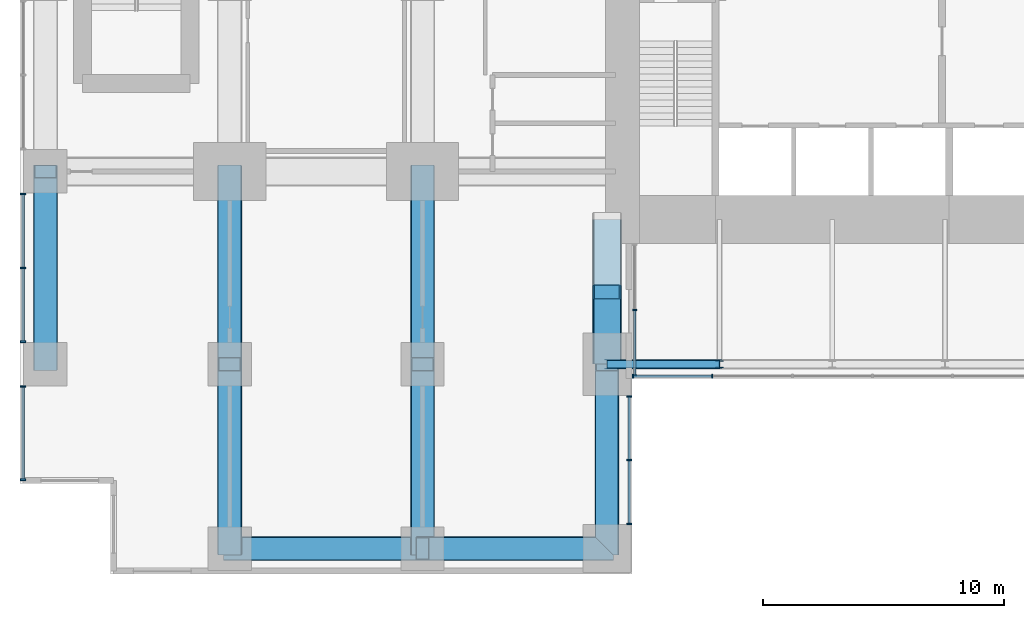
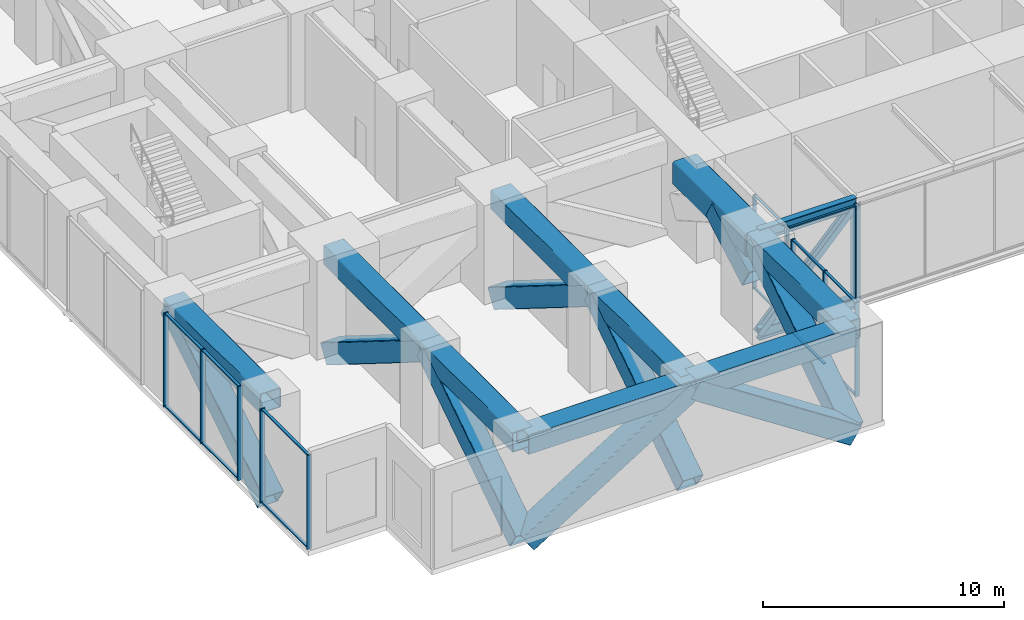
# One storey, part 2 of 19: 46 members, 2 beams, 5 elements without a shape of their own.
"""IFC4 building model written with IfcOpenShell, lengths in metres."""

from ifc_helpers import new_model, si_unit, direction, frame, origin, origin_2d, place, context, subcontext, project, spatial, rectangle, hollow_rectangle, i_section, extrude, material, layer, layer_set, material_profile, profile_set, type_object, element, aggregate, save


model = new_model("IFC4")

# Units and contexts
model_context = context("Model", 3, precision=1e-05, world=origin(), true_north=direction((0.0, 1.0)))
body_context = subcontext(model_context, "Body", "Model", "MODEL_VIEW")
ifc_project = project(units=[si_unit("LENGTHUNIT", "METRE"), si_unit("AREAUNIT", "SQUARE_METRE"), si_unit("VOLUMEUNIT", "CUBIC_METRE"), si_unit("PLANEANGLEUNIT", "RADIAN"), si_unit("MASSUNIT", "GRAM", prefix="KILO")], contexts=[model_context])

# Site, building, storey
site_placement = place(None, origin())
site = spatial("IfcSite", under=ifc_project, at=site_placement, CompositionType="ELEMENT")
building_placement = place(site_placement, origin())
building = spatial("IfcBuilding", under=site, at=building_placement, Name="Cleftline Residences", CompositionType="ELEMENT")
storey_placement = place(building_placement, frame((0.0, 0.0, 177.199951171875)))
storey = spatial("IfcBuildingStorey", under=building, at=storey_placement, Name="L46", CompositionType="ELEMENT", Elevation=177.199951171875)

# Members
ifc_material_1 = material(Name="Steel S355", Category="steel")
ifc_material_profile_1 = material_profile(ifc_material_1, hollow_rectangle(XDim=1.0, YDim=1.0, WallThickness=0.0400390625, InnerFilletRadius=0.0400390625, OuterFilletRadius=0.06005859375, at=origin_2d()))
ifc_profile_set_1 = profile_set([ifc_material_profile_1], Name="Steel S355")
member_type_1 = type_object("IfcMemberType", Name="BRACE BOX 1000X1000X40", PredefinedType="BRACE", material=ifc_profile_set_1)
member_1_placement = place(storey_placement, frame((0.35009765625, 8.0, -0.75), z_axis=(0.0, 0.847998304005, 0.529998940003), x_axis=(0.0, -0.529998940003, 0.847998304005)))
element("IfcMember", 1, at=member_1_placement, inside=storey, type_object=member_type_1, Name="Belt truss diagonal", PredefinedType="BRACE", context=body_context, shape_type="SweptSolid", body=[
    extrude(hollow_rectangle(XDim=1.0, YDim=1.0, WallThickness=0.0400390625, InnerFilletRadius=0.0400390625, OuterFilletRadius=0.06005859375, at=origin_2d()), origin(), (0.0, 0.0, 1.0), 9.43408203125),
])
member_2_placement = place(storey_placement, frame((8.0, 0.35009765625, -0.75), z_axis=(0.0, 0.837062783189, 0.547106842399), x_axis=(0.0, -0.547106842399, 0.837062783189)))
element("IfcMember", 2, at=member_2_placement, inside=storey, type_object=member_type_1, Name="Belt truss diagonal", PredefinedType="BRACE", context=body_context, shape_type="SweptSolid", body=[
    extrude(hollow_rectangle(XDim=1.0, YDim=1.0, WallThickness=0.0400390625, InnerFilletRadius=0.0400390625, OuterFilletRadius=0.06005859375, at=origin_2d()), origin(), (0.0, 0.0, 1.0), 9.138916015625),
])
member_3_placement = place(storey_placement, frame((8.0, 8.0, 4.25), z_axis=(0.0, 0.847998304005, -0.529998940003), x_axis=(0.0, 0.529998940003, 0.847998304005)))
element("IfcMember", 3, at=member_3_placement, inside=storey, type_object=member_type_1, Name="Belt truss diagonal", PredefinedType="BRACE", context=body_context, shape_type="SweptSolid", body=[
    extrude(hollow_rectangle(XDim=1.0, YDim=1.0, WallThickness=0.0400390625, InnerFilletRadius=0.0400390625, OuterFilletRadius=0.06005859375, at=origin_2d()), origin(), (0.0, 0.0, 1.0), 9.43408203125),
])
member_4_placement = place(storey_placement, frame((16.0, 0.35009765625, -0.75), z_axis=(0.0, 0.837062783189, 0.547106842399), x_axis=(0.0, -0.547106842399, 0.837062783189)))
element("IfcMember", 4, at=member_4_placement, inside=storey, type_object=member_type_1, Name="Belt truss diagonal", PredefinedType="BRACE", context=body_context, shape_type="SweptSolid", body=[
    extrude(hollow_rectangle(XDim=1.0, YDim=1.0, WallThickness=0.0400390625, InnerFilletRadius=0.0400390625, OuterFilletRadius=0.06005859375, at=origin_2d()), origin(), (0.0, 0.0, 1.0), 9.138916015625),
])
member_5_placement = place(storey_placement, frame((16.0, 8.0, 4.25), z_axis=(0.0, 0.847998304005, -0.529998940003), x_axis=(0.0, 0.529998940003, 0.847998304005)))
element("IfcMember", 5, at=member_5_placement, inside=storey, type_object=member_type_1, Name="Belt truss diagonal", PredefinedType="BRACE", context=body_context, shape_type="SweptSolid", body=[
    extrude(hollow_rectangle(XDim=1.0, YDim=1.0, WallThickness=0.0400390625, InnerFilletRadius=0.0400390625, OuterFilletRadius=0.06005859375, at=origin_2d()), origin(), (0.0, 0.0, 1.0), 9.43408203125),
])
member_6_placement = place(storey_placement, frame((23.64990234375, 0.35009765625, -0.75), z_axis=(0.0, 0.837062783189, 0.547106842399), x_axis=(0.0, -0.547106842399, 0.837062783189)))
element("IfcMember", 6, at=member_6_placement, inside=storey, type_object=member_type_1, Name="Belt truss diagonal", PredefinedType="BRACE", context=body_context, shape_type="SweptSolid", body=[
    extrude(hollow_rectangle(XDim=1.0, YDim=1.0, WallThickness=0.0400390625, InnerFilletRadius=0.0400390625, OuterFilletRadius=0.06005859375, at=origin_2d()), origin(), (0.0, 0.0, 1.0), 9.138916015625),
])
member_7_placement = place(storey_placement, frame((8.0, 0.35009765625, -0.75), z_axis=(0.847998304005, 0.0, 0.529998940003), x_axis=(-0.529998940003, 0.0, 0.847998304005)))
element("IfcMember", 7, at=member_7_placement, inside=storey, type_object=member_type_1, Name="Belt truss diagonal", PredefinedType="BRACE", context=body_context, shape_type="SweptSolid", body=[
    extrude(hollow_rectangle(XDim=1.0, YDim=1.0, WallThickness=0.0400390625, InnerFilletRadius=0.0400390625, OuterFilletRadius=0.06005859375, at=origin_2d()), origin(), (0.0, 0.0, 1.0), 9.43408203125),
])
member_8_placement = place(storey_placement, frame((16.0, 0.35009765625, 4.25), z_axis=(0.837062783189, 0.0, -0.547106842399), x_axis=(0.547106842399, 0.0, 0.837062783189)))
element("IfcMember", 8, at=member_8_placement, inside=storey, type_object=member_type_1, Name="Belt truss diagonal", PredefinedType="BRACE", context=body_context, shape_type="SweptSolid", body=[
    extrude(hollow_rectangle(XDim=1.0, YDim=1.0, WallThickness=0.0400390625, InnerFilletRadius=0.0400390625, OuterFilletRadius=0.06005859375, at=origin_2d()), origin(), (0.0, 0.0, 1.0), 9.138916015625),
])
ifc_material_2 = material(Name="Steel S355", Category="steel")
ifc_material_profile_2 = material_profile(ifc_material_2, hollow_rectangle(XDim=1.199951171875, YDim=1.199951171875, WallThickness=0.06005859375, InnerFilletRadius=0.06005859375, OuterFilletRadius=0.090087890625, at=origin_2d()))
ifc_profile_set_2 = profile_set([ifc_material_profile_2], Name="Steel S355")
member_type_2 = type_object("IfcMemberType", Name="BRACE BOX 1200X1200X60", PredefinedType="BRACE", material=ifc_profile_set_2)
member_9_placement = place(storey_placement, frame((23.64990234375, 8.0, 2.43115234375), z_axis=(0.0, 0.867655928929, 0.497165152636), x_axis=(0.0, -0.497165152636, 0.867655928929)))
element("IfcMember", 9, at=member_9_placement, inside=storey, type_object=member_type_2, Name="Outrigger truss diagonal", PredefinedType="BRACE", context=body_context, shape_type="SweptSolid", body=[
    extrude(hollow_rectangle(XDim=1.199951171875, YDim=1.199951171875, WallThickness=0.06005859375, InnerFilletRadius=0.06005859375, OuterFilletRadius=0.090087890625, at=origin_2d()), origin(), (0.0, 0.0, 1.0), 3.45751953125),
])
ifc_material_3 = material(Name="Steel S355", Category="steel")
ifc_material_profile_3 = material_profile(ifc_material_3, i_section(OverallWidth=0.300048828125, OverallDepth=0.39990234375, WebThickness=0.013427734375, FlangeThickness=0.02392578125, FilletRadius=0.027099609375, at=origin_2d()))
ifc_profile_set_3 = profile_set([ifc_material_profile_3], Name="Steel S355")
member_type_3 = type_object("IfcMemberType", Name="BRACE HEB 400", PredefinedType="BRACE", material=ifc_profile_set_3)
member_10_placement = place(storey_placement, frame((23.64990234375, 8.0, -0.5), z_axis=(0.682972422419, 0.0, 0.730444159546), x_axis=(-0.730444159546, 0.0, 0.682972422419)))
element("IfcMember", 10, at=member_10_placement, inside=storey, type_object=member_type_3, Name="Sky bridge truss diagonal", PredefinedType="BRACE", context=body_context, shape_type="SweptSolid", body=[
    extrude(i_section(OverallWidth=0.300048828125, OverallDepth=0.39990234375, WebThickness=0.013427734375, FlangeThickness=0.02392578125, FilletRadius=0.027099609375, at=origin_2d()), origin(), (0.0, 0.0, 1.0), 6.84521484375),
])

# Beams
ifc_material_4 = material(Name="Steel S355", Category="steel")
ifc_material_profile_4 = material_profile(ifc_material_4, i_section(OverallWidth=0.300048828125, OverallDepth=0.60009765625, WebThickness=0.015380859375, FlangeThickness=0.030029296875, FilletRadius=0.027099609375, at=origin_2d()))
ifc_profile_set_4 = profile_set([ifc_material_profile_4], Name="Steel S355")
beam_type = type_object("IfcBeamType", Name="BRIDGE CHORD HEB 600", PredefinedType="BEAM", material=ifc_profile_set_4)
for number, where, z_axis, x_axis, name in (
    (11, (23.64990234375, 8.0, -0.5), (1.0, 0.0, 0.0), (0.0, 1.0, 0.0), "Sky bridge truss bottom chord"),
    (12, (23.64990234375, 8.0, 4.5), (1.0, 0.0, 0.0), (0.0, 1.0, 0.0), "Sky bridge truss top chord"),
):
    element("IfcBeam", number, at=place(storey_placement, frame(where, z_axis=z_axis, x_axis=x_axis)), inside=storey, type_object=beam_type, Name=name, PredefinedType="BEAM", context=body_context, shape_type="SweptSolid", body=[
        extrude(i_section(OverallWidth=0.300048828125, OverallDepth=0.60009765625, WebThickness=0.015380859375, FlangeThickness=0.030029296875, FilletRadius=0.027099609375, at=origin_2d()), origin(), (0.0, 0.0, 1.0), 4.675048828125),
    ])

# Members
ifc_material_5 = material(Name="Steel S355", Category="steel")
ifc_material_profile_5 = material_profile(ifc_material_5, hollow_rectangle(XDim=1.0, YDim=1.0, WallThickness=0.0400390625, InnerFilletRadius=0.0400390625, OuterFilletRadius=0.06005859375, at=origin_2d()))
ifc_profile_set_5 = profile_set([ifc_material_profile_5], Name="Steel S355")
member_type_4 = type_object("IfcMemberType", Name="CHORD BOX 1000X1000X40", PredefinedType="CHORD", material=ifc_profile_set_5)
member_11_placement = place(storey_placement, frame((0.35009765625, 8.0, 4.25), z_axis=(0.0, 1.0, 0.0), x_axis=(-1.0, 0.0, 0.0)))
element("IfcMember", 13, at=member_11_placement, inside=storey, type_object=member_type_4, Name="Belt truss top chord", PredefinedType="CHORD", context=body_context, shape_type="SweptSolid", body=[
    extrude(hollow_rectangle(XDim=1.0, YDim=1.0, WallThickness=0.0400390625, InnerFilletRadius=0.0400390625, OuterFilletRadius=0.06005859375, at=origin_2d()), origin(), (0.0, 0.0, 1.0), 8.0),
])
member_12_placement = place(storey_placement, frame((8.0, 0.35009765625, 4.25), z_axis=(0.0, 1.0, 0.0), x_axis=(-1.0, 0.0, 0.0)))
element("IfcMember", 14, at=member_12_placement, inside=storey, type_object=member_type_4, Name="Belt truss top chord", PredefinedType="CHORD", context=body_context, shape_type="SweptSolid", body=[
    extrude(hollow_rectangle(XDim=1.0, YDim=1.0, WallThickness=0.0400390625, InnerFilletRadius=0.0400390625, OuterFilletRadius=0.06005859375, at=origin_2d()), origin(), (0.0, 0.0, 1.0), 7.64990234375),
])
member_13_placement = place(storey_placement, frame((8.0, 8.0, 4.25), z_axis=(0.0, 1.0, 0.0), x_axis=(-1.0, 0.0, 0.0)))
element("IfcMember", 15, at=member_13_placement, inside=storey, type_object=member_type_4, Name="Belt truss top chord", PredefinedType="CHORD", context=body_context, shape_type="SweptSolid", body=[
    extrude(hollow_rectangle(XDim=1.0, YDim=1.0, WallThickness=0.0400390625, InnerFilletRadius=0.0400390625, OuterFilletRadius=0.06005859375, at=origin_2d()), origin(), (0.0, 0.0, 1.0), 8.0),
])
member_14_placement = place(storey_placement, frame((16.0, 0.35009765625, 4.25), z_axis=(0.0, 1.0, 0.0), x_axis=(-1.0, 0.0, 0.0)))
element("IfcMember", 16, at=member_14_placement, inside=storey, type_object=member_type_4, Name="Belt truss top chord", PredefinedType="CHORD", context=body_context, shape_type="SweptSolid", body=[
    extrude(hollow_rectangle(XDim=1.0, YDim=1.0, WallThickness=0.0400390625, InnerFilletRadius=0.0400390625, OuterFilletRadius=0.06005859375, at=origin_2d()), origin(), (0.0, 0.0, 1.0), 7.64990234375),
])
member_15_placement = place(storey_placement, frame((16.0, 8.0, 4.25), z_axis=(0.0, 1.0, 0.0), x_axis=(-1.0, 0.0, 0.0)))
element("IfcMember", 17, at=member_15_placement, inside=storey, type_object=member_type_4, Name="Belt truss top chord", PredefinedType="CHORD", context=body_context, shape_type="SweptSolid", body=[
    extrude(hollow_rectangle(XDim=1.0, YDim=1.0, WallThickness=0.0400390625, InnerFilletRadius=0.0400390625, OuterFilletRadius=0.06005859375, at=origin_2d()), origin(), (0.0, 0.0, 1.0), 8.0),
])
member_16_placement = place(storey_placement, frame((23.64990234375, 0.35009765625, 4.25), z_axis=(0.0, 1.0, 0.0), x_axis=(-1.0, 0.0, 0.0)))
element("IfcMember", 18, at=member_16_placement, inside=storey, type_object=member_type_4, Name="Belt truss top chord", PredefinedType="CHORD", context=body_context, shape_type="SweptSolid", body=[
    extrude(hollow_rectangle(XDim=1.0, YDim=1.0, WallThickness=0.0400390625, InnerFilletRadius=0.0400390625, OuterFilletRadius=0.06005859375, at=origin_2d()), origin(), (0.0, 0.0, 1.0), 7.64990234375),
])
member_17_placement = place(storey_placement, frame((8.0, 0.35009765625, 4.25), z_axis=(1.0, 0.0, 0.0), x_axis=(0.0, 1.0, 0.0)))
element("IfcMember", 19, at=member_17_placement, inside=storey, type_object=member_type_4, Name="Belt truss top chord", PredefinedType="CHORD", context=body_context, shape_type="SweptSolid", body=[
    extrude(hollow_rectangle(XDim=1.0, YDim=1.0, WallThickness=0.0400390625, InnerFilletRadius=0.0400390625, OuterFilletRadius=0.06005859375, at=origin_2d()), origin(), (0.0, 0.0, 1.0), 8.0),
])
member_18_placement = place(storey_placement, frame((16.0, 0.35009765625, 4.25), z_axis=(1.0, 0.0, 0.0), x_axis=(0.0, 1.0, 0.0)))
element("IfcMember", 20, at=member_18_placement, inside=storey, type_object=member_type_4, Name="Belt truss top chord", PredefinedType="CHORD", context=body_context, shape_type="SweptSolid", body=[
    extrude(hollow_rectangle(XDim=1.0, YDim=1.0, WallThickness=0.0400390625, InnerFilletRadius=0.0400390625, OuterFilletRadius=0.06005859375, at=origin_2d()), origin(), (0.0, 0.0, 1.0), 7.64990234375),
])
ifc_material_6 = material(Name="Steel S355", Category="steel")
ifc_material_profile_6 = material_profile(ifc_material_6, hollow_rectangle(XDim=1.199951171875, YDim=1.199951171875, WallThickness=0.06005859375, InnerFilletRadius=0.06005859375, OuterFilletRadius=0.090087890625, at=origin_2d()))
ifc_profile_set_6 = profile_set([ifc_material_profile_6], Name="Steel S355")
member_type_5 = type_object("IfcMemberType", Name="CHORD BOX 1200X1200X60", PredefinedType="CHORD", material=ifc_profile_set_6)
member_19_placement = place(storey_placement, frame((23.64990234375, 8.0, 4.150146484375), z_axis=(0.0, 1.0, 0.0), x_axis=(-1.0, 0.0, 0.0)))
element("IfcMember", 21, at=member_19_placement, inside=storey, type_object=member_type_5, Name="Outrigger truss top chord", PredefinedType="CHORD", context=body_context, shape_type="SweptSolid", body=[
    extrude(hollow_rectangle(XDim=1.199951171875, YDim=1.199951171875, WallThickness=0.06005859375, InnerFilletRadius=0.06005859375, OuterFilletRadius=0.090087890625, at=origin_2d()), origin(), (0.0, 0.0, 1.0), 6.0),
])

# Curtain wall, members
ifc_material_7 = material(Name="Aluminium framed curtain wall", Category="aluminium")
ifc_layer_1 = layer(ifc_material_7, 0.199951171875)
ifc_layer_set_1 = layer_set([ifc_layer_1], Name="CW1 CLEFT GLAZING")
curtain_wall_type_1 = type_object("IfcCurtainWallType", Name="CW1 CLEFT GLAZING", PredefinedType="NOTDEFINED", material=ifc_layer_set_1)
curtain_wall_1_placement = place(storey_placement, origin())
curtain_wall_1 = element("IfcCurtainWall", 22, at=curtain_wall_1_placement, inside=storey, type_object=curtain_wall_type_1, Name="Curtain wall CW1", PredefinedType="NOTDEFINED")
ifc_material_8 = material(Name="Aluminium mullion", Category="aluminium")
ifc_material_profile_7 = material_profile(ifc_material_8, rectangle(XDim=0.199951171875, YDim=0.06005859375, at=origin_2d()))
ifc_profile_set_7 = profile_set([ifc_material_profile_7], Name="Aluminium mullion")
member_type_6 = type_object("IfcMemberType", Name="CW1 MULLION", PredefinedType="MULLION", material=ifc_profile_set_7)
member_20_placement = place(storey_placement, frame((24.574951171875, 1.3798828125, 0.0), z_axis=(0.0, 0.0, 1.0), x_axis=(-1.0, 0.0, 0.0)))
member_20 = element("IfcMember", 23, at=member_20_placement, type_object=member_type_6, Name="CW1 mullion 1", PredefinedType="MULLION", context=body_context, shape_type="SweptSolid", body=[
    extrude(rectangle(XDim=0.199951171875, YDim=0.06005859375, at=origin_2d()), origin(), (0.0, 0.0, 1.0), 4.75),
])
member_21_placement = place(storey_placement, frame((24.574951171875, 4.02490234375, 0.0), z_axis=(0.0, 0.0, 1.0), x_axis=(-1.0, 0.0, 0.0)))
member_21 = element("IfcMember", 24, at=member_21_placement, type_object=member_type_6, Name="CW1 mullion 2", PredefinedType="MULLION", context=body_context, shape_type="SweptSolid", body=[
    extrude(rectangle(XDim=0.199951171875, YDim=0.06005859375, at=origin_2d()), origin(), (0.0, 0.0, 1.0), 4.75),
])
member_22_placement = place(storey_placement, frame((24.574951171875, 6.669921875, 0.0), z_axis=(0.0, 0.0, 1.0), x_axis=(-1.0, 0.0, 0.0)))
member_22 = element("IfcMember", 25, at=member_22_placement, type_object=member_type_6, Name="CW1 mullion 3", PredefinedType="MULLION", context=body_context, shape_type="SweptSolid", body=[
    extrude(rectangle(XDim=0.199951171875, YDim=0.06005859375, at=origin_2d()), origin(), (0.0, 0.0, 1.0), 4.75),
])
ifc_material_9 = material(Name="Aluminium transom", Category="aluminium")
ifc_material_profile_8 = material_profile(ifc_material_9, rectangle(XDim=0.1201171875, YDim=0.06005859375, at=origin_2d()))
ifc_profile_set_8 = profile_set([ifc_material_profile_8], Name="Aluminium transom")
member_type_7 = type_object("IfcMemberType", Name="CW1 TRANSOM", PredefinedType="USERDEFINED", material=ifc_profile_set_8)
member_23_placement = place(storey_placement, frame((24.574951171875, 1.409912109375, 0.030029296875), z_axis=(0.0, 1.0, 0.0), x_axis=(-1.0, 0.0, 0.0)))
member_23 = element("IfcMember", 26, at=member_23_placement, type_object=member_type_7, Name="CW1 transom 1.1", ObjectType="TRANSOM", PredefinedType="USERDEFINED", context=body_context, shape_type="SweptSolid", body=[
    extrude(rectangle(XDim=0.1201171875, YDim=0.06005859375, at=origin_2d()), origin(), (0.0, 0.0, 1.0), 2.585205078125),
])
member_24_placement = place(storey_placement, frame((24.574951171875, 1.409912109375, 4.719970703125), z_axis=(0.0, 1.0, 0.0), x_axis=(-1.0, 0.0, 0.0)))
member_24 = element("IfcMember", 27, at=member_24_placement, type_object=member_type_7, Name="CW1 transom 1.2", ObjectType="TRANSOM", PredefinedType="USERDEFINED", context=body_context, shape_type="SweptSolid", body=[
    extrude(rectangle(XDim=0.1201171875, YDim=0.06005859375, at=origin_2d()), origin(), (0.0, 0.0, 1.0), 2.585205078125),
])
member_25_placement = place(storey_placement, frame((24.574951171875, 4.054931640625, 0.030029296875), z_axis=(0.0, 1.0, 0.0), x_axis=(-1.0, 0.0, 0.0)))
member_25 = element("IfcMember", 28, at=member_25_placement, type_object=member_type_7, Name="CW1 transom 2.1", ObjectType="TRANSOM", PredefinedType="USERDEFINED", context=body_context, shape_type="SweptSolid", body=[
    extrude(rectangle(XDim=0.1201171875, YDim=0.06005859375, at=origin_2d()), origin(), (0.0, 0.0, 1.0), 2.5849609375),
])
member_26_placement = place(storey_placement, frame((24.574951171875, 4.054931640625, 4.719970703125), z_axis=(0.0, 1.0, 0.0), x_axis=(-1.0, 0.0, 0.0)))
member_26 = element("IfcMember", 29, at=member_26_placement, type_object=member_type_7, Name="CW1 transom 2.2", ObjectType="TRANSOM", PredefinedType="USERDEFINED", context=body_context, shape_type="SweptSolid", body=[
    extrude(rectangle(XDim=0.1201171875, YDim=0.06005859375, at=origin_2d()), origin(), (0.0, 0.0, 1.0), 2.5849609375),
])
aggregate(curtain_wall_1, [member_20, member_21, member_22, member_23, member_24, member_25, member_26])

ifc_material_10 = material(Name="Aluminium framed curtain wall", Category="aluminium")
ifc_layer_2 = layer(ifc_material_10, 0.199951171875)
ifc_layer_set_2 = layer_set([ifc_layer_2], Name="CW3 BRIDGE GLAZING")
curtain_wall_type_2 = type_object("IfcCurtainWallType", Name="CW3 BRIDGE GLAZING", PredefinedType="NOTDEFINED", material=ifc_layer_set_2)
curtain_wall_2_placement = place(storey_placement, origin())
curtain_wall_2 = element("IfcCurtainWall", 30, at=curtain_wall_2_placement, inside=storey, type_object=curtain_wall_type_2, Name="Curtain wall CW3", PredefinedType="NOTDEFINED")
ifc_material_11 = material(Name="Aluminium mullion", Category="aluminium")
ifc_material_profile_9 = material_profile(ifc_material_11, rectangle(XDim=0.159912109375, YDim=0.06005859375, at=origin_2d()))
ifc_profile_set_9 = profile_set([ifc_material_profile_9], Name="Aluminium mullion")
member_type_8 = type_object("IfcMemberType", Name="CW3 MULLION", PredefinedType="MULLION", material=ifc_profile_set_9)
member_27_placement = place(storey_placement, frame((24.72998046875, 7.5, 0.0), z_axis=(0.0, 0.0, 1.0), x_axis=(0.0, 1.0, 0.0)))
member_27 = element("IfcMember", 31, at=member_27_placement, type_object=member_type_8, Name="CW3 mullion 1", PredefinedType="MULLION", context=body_context, shape_type="SweptSolid", body=[
    extrude(rectangle(XDim=0.159912109375, YDim=0.06005859375, at=origin_2d()), origin(), (0.0, 0.0, 1.0), 4.75),
])
member_28_placement = place(storey_placement, frame((28.02001953125, 7.5, 0.0), z_axis=(0.0, 0.0, 1.0), x_axis=(0.0, 1.0, 0.0)))
member_28 = element("IfcMember", 32, at=member_28_placement, type_object=member_type_8, Name="CW3 mullion 2", PredefinedType="MULLION", context=body_context, shape_type="SweptSolid", body=[
    extrude(rectangle(XDim=0.159912109375, YDim=0.06005859375, at=origin_2d()), origin(), (0.0, 0.0, 1.0), 4.75),
])

curtain_wall_3_placement = place(storey_placement, origin())
curtain_wall_3 = element("IfcCurtainWall", 33, at=curtain_wall_3_placement, inside=storey, type_object=curtain_wall_type_2, Name="Curtain wall CW3", PredefinedType="NOTDEFINED")
member_29_placement = place(storey_placement, frame((24.800048828125, 7.530029296875, 0.0), z_axis=(0.0, 0.0, 1.0), x_axis=(-1.0, 0.0, 0.0)))
member_29 = element("IfcMember", 34, at=member_29_placement, type_object=member_type_8, Name="CW3 mullion 1", PredefinedType="MULLION", context=body_context, shape_type="SweptSolid", body=[
    extrude(rectangle(XDim=0.159912109375, YDim=0.06005859375, at=origin_2d()), origin(), (0.0, 0.0, 1.0), 4.75),
])
member_30_placement = place(storey_placement, frame((24.800048828125, 10.25, 0.0), z_axis=(0.0, 0.0, 1.0), x_axis=(-1.0, 0.0, 0.0)))
member_30 = element("IfcMember", 35, at=member_30_placement, type_object=member_type_8, Name="CW3 mullion 2", PredefinedType="MULLION", context=body_context, shape_type="SweptSolid", body=[
    extrude(rectangle(XDim=0.159912109375, YDim=0.06005859375, at=origin_2d()), origin(), (0.0, 0.0, 1.0), 4.75),
])

# Member
ifc_material_12 = material(Name="Aluminium transom", Category="aluminium")
ifc_material_profile_10 = material_profile(ifc_material_12, rectangle(XDim=0.095947265625, YDim=0.06005859375, at=origin_2d()))
ifc_profile_set_10 = profile_set([ifc_material_profile_10], Name="Aluminium transom")
member_type_9 = type_object("IfcMemberType", Name="CW3 TRANSOM", PredefinedType="USERDEFINED", material=ifc_profile_set_10)
member_31_placement = place(storey_placement, frame((24.760009765625, 7.5, 0.030029296875), z_axis=(1.0, 0.0, 0.0), x_axis=(0.0, 1.0, 0.0)))
member_31 = element("IfcMember", 36, at=member_31_placement, type_object=member_type_9, Name="CW3 transom 1.1", ObjectType="TRANSOM", PredefinedType="USERDEFINED", context=body_context, shape_type="SweptSolid", body=[
    extrude(rectangle(XDim=0.095947265625, YDim=0.06005859375, at=origin_2d()), origin(), (0.0, 0.0, 1.0), 3.22998046875),
])

member_32_placement = place(storey_placement, frame((24.760009765625, 7.5, 4.719970703125), z_axis=(1.0, 0.0, 0.0), x_axis=(0.0, 1.0, 0.0)))
member_32 = element("IfcMember", 37, at=member_32_placement, type_object=member_type_9, Name="CW3 transom 1.2", ObjectType="TRANSOM", PredefinedType="USERDEFINED", context=body_context, shape_type="SweptSolid", body=[
    extrude(rectangle(XDim=0.095947265625, YDim=0.06005859375, at=origin_2d()), origin(), (0.0, 0.0, 1.0), 3.22998046875),
])

aggregate(curtain_wall_2, [member_27, member_28, member_31, member_32])

member_33_placement = place(storey_placement, frame((24.800048828125, 7.56005859375, 0.030029296875), z_axis=(0.0, 1.0, 0.0), x_axis=(-1.0, 0.0, 0.0)))
member_33 = element("IfcMember", 38, at=member_33_placement, type_object=member_type_9, Name="CW3 transom 1.1", ObjectType="TRANSOM", PredefinedType="USERDEFINED", context=body_context, shape_type="SweptSolid", body=[
    extrude(rectangle(XDim=0.095947265625, YDim=0.06005859375, at=origin_2d()), origin(), (0.0, 0.0, 1.0), 2.659912109375),
])

member_34_placement = place(storey_placement, frame((24.800048828125, 7.56005859375, 4.719970703125), z_axis=(0.0, 1.0, 0.0), x_axis=(-1.0, 0.0, 0.0)))
member_34 = element("IfcMember", 39, at=member_34_placement, type_object=member_type_9, Name="CW3 transom 1.2", ObjectType="TRANSOM", PredefinedType="USERDEFINED", context=body_context, shape_type="SweptSolid", body=[
    extrude(rectangle(XDim=0.095947265625, YDim=0.06005859375, at=origin_2d()), origin(), (0.0, 0.0, 1.0), 2.659912109375),
])

aggregate(curtain_wall_3, [member_29, member_30, member_33, member_34])

# Curtain wall, members
ifc_material_13 = material(Name="Aluminium framed curtain wall", Category="aluminium")
ifc_layer_3 = layer(ifc_material_13, 0.199951171875)
ifc_layer_set_3 = layer_set([ifc_layer_3], Name="CW4 SKY LOUNGE GLAZING")
curtain_wall_type_3 = type_object("IfcCurtainWallType", Name="CW4 SKY LOUNGE GLAZING", PredefinedType="NOTDEFINED", material=ifc_layer_set_3)
curtain_wall_4_placement = place(storey_placement, origin())
curtain_wall_4 = element("IfcCurtainWall", 40, at=curtain_wall_4_placement, inside=storey, type_object=curtain_wall_type_3, Name="Curtain wall CW4", PredefinedType="NOTDEFINED")
ifc_material_14 = material(Name="Aluminium mullion", Category="aluminium")
ifc_material_profile_11 = material_profile(ifc_material_14, rectangle(XDim=0.219970703125, YDim=0.06494140625, at=origin_2d()))
ifc_profile_set_11 = profile_set([ifc_material_profile_11], Name="Aluminium mullion")
member_type_10 = type_object("IfcMemberType", Name="CW4 MULLION", PredefinedType="MULLION", material=ifc_profile_set_11)
member_35_placement = place(storey_placement, frame((-0.574951171875, 15.0673828125, 0.0), z_axis=(0.0, 0.0, 1.0), x_axis=(1.0, 0.0, 0.0)))
member_35 = element("IfcMember", 41, at=member_35_placement, type_object=member_type_10, Name="CW4 mullion 1", PredefinedType="MULLION", context=body_context, shape_type="SweptSolid", body=[
    extrude(rectangle(XDim=0.219970703125, YDim=0.06494140625, at=origin_2d()), origin(), (0.0, 0.0, 1.0), 4.75),
])
member_36_placement = place(storey_placement, frame((-0.574951171875, 12.0, 0.0), z_axis=(0.0, 0.0, 1.0), x_axis=(1.0, 0.0, 0.0)))
member_36 = element("IfcMember", 42, at=member_36_placement, type_object=member_type_10, Name="CW4 mullion 2", PredefinedType="MULLION", context=body_context, shape_type="SweptSolid", body=[
    extrude(rectangle(XDim=0.219970703125, YDim=0.06494140625, at=origin_2d()), origin(), (0.0, 0.0, 1.0), 4.75),
])
member_37_placement = place(storey_placement, frame((-0.574951171875, 8.9326171875, 0.0), z_axis=(0.0, 0.0, 1.0), x_axis=(1.0, 0.0, 0.0)))
member_37 = element("IfcMember", 43, at=member_37_placement, type_object=member_type_10, Name="CW4 mullion 3", PredefinedType="MULLION", context=body_context, shape_type="SweptSolid", body=[
    extrude(rectangle(XDim=0.219970703125, YDim=0.06494140625, at=origin_2d()), origin(), (0.0, 0.0, 1.0), 4.75),
])

curtain_wall_5_placement = place(storey_placement, origin())
curtain_wall_5 = element("IfcCurtainWall", 44, at=curtain_wall_5_placement, inside=storey, type_object=curtain_wall_type_3, Name="Curtain wall CW4", PredefinedType="NOTDEFINED")
member_38_placement = place(storey_placement, frame((-0.574951171875, 7.0673828125, 0.0), z_axis=(0.0, 0.0, 1.0), x_axis=(1.0, 0.0, 0.0)))
member_38 = element("IfcMember", 45, at=member_38_placement, type_object=member_type_10, Name="CW4 mullion 1", PredefinedType="MULLION", context=body_context, shape_type="SweptSolid", body=[
    extrude(rectangle(XDim=0.219970703125, YDim=0.06494140625, at=origin_2d()), origin(), (0.0, 0.0, 1.0), 4.75),
])
member_39_placement = place(storey_placement, frame((-0.574951171875, 3.20751953125, 0.0), z_axis=(0.0, 0.0, 1.0), x_axis=(1.0, 0.0, 0.0)))
member_39 = element("IfcMember", 46, at=member_39_placement, type_object=member_type_10, Name="CW4 mullion 2", PredefinedType="MULLION", context=body_context, shape_type="SweptSolid", body=[
    extrude(rectangle(XDim=0.219970703125, YDim=0.06494140625, at=origin_2d()), origin(), (0.0, 0.0, 1.0), 4.75),
])

# Member
ifc_material_15 = material(Name="Aluminium transom", Category="aluminium")
ifc_material_profile_12 = material_profile(ifc_material_15, rectangle(XDim=0.132080078125, YDim=0.06494140625, at=origin_2d()))
ifc_profile_set_12 = profile_set([ifc_material_profile_12], Name="Aluminium transom")
member_type_11 = type_object("IfcMemberType", Name="CW4 TRANSOM", PredefinedType="USERDEFINED", material=ifc_profile_set_12)
member_40_placement = place(storey_placement, frame((-0.574951171875, 15.034912109375, 0.032470703125), z_axis=(0.0, -1.0, 0.0), x_axis=(1.0, 0.0, 0.0)))
member_40 = element("IfcMember", 47, at=member_40_placement, type_object=member_type_11, Name="CW4 transom 1.1", ObjectType="TRANSOM", PredefinedType="USERDEFINED", context=body_context, shape_type="SweptSolid", body=[
    extrude(rectangle(XDim=0.132080078125, YDim=0.06494140625, at=origin_2d()), origin(), (0.0, 0.0, 1.0), 3.00244140625),
])

member_41_placement = place(storey_placement, frame((-0.574951171875, 15.034912109375, 4.717529296875), z_axis=(0.0, -1.0, 0.0), x_axis=(1.0, 0.0, 0.0)))
member_41 = element("IfcMember", 48, at=member_41_placement, type_object=member_type_11, Name="CW4 transom 1.2", ObjectType="TRANSOM", PredefinedType="USERDEFINED", context=body_context, shape_type="SweptSolid", body=[
    extrude(rectangle(XDim=0.132080078125, YDim=0.06494140625, at=origin_2d()), origin(), (0.0, 0.0, 1.0), 3.00244140625),
])

member_42_placement = place(storey_placement, frame((-0.574951171875, 11.967529296875, 0.032470703125), z_axis=(0.0, -1.0, 0.0), x_axis=(1.0, 0.0, 0.0)))
member_42 = element("IfcMember", 49, at=member_42_placement, type_object=member_type_11, Name="CW4 transom 2.1", ObjectType="TRANSOM", PredefinedType="USERDEFINED", context=body_context, shape_type="SweptSolid", body=[
    extrude(rectangle(XDim=0.132080078125, YDim=0.06494140625, at=origin_2d()), origin(), (0.0, 0.0, 1.0), 3.00244140625),
])

member_43_placement = place(storey_placement, frame((-0.574951171875, 11.967529296875, 4.717529296875), z_axis=(0.0, -1.0, 0.0), x_axis=(1.0, 0.0, 0.0)))
member_43 = element("IfcMember", 50, at=member_43_placement, type_object=member_type_11, Name="CW4 transom 2.2", ObjectType="TRANSOM", PredefinedType="USERDEFINED", context=body_context, shape_type="SweptSolid", body=[
    extrude(rectangle(XDim=0.132080078125, YDim=0.06494140625, at=origin_2d()), origin(), (0.0, 0.0, 1.0), 3.00244140625),
])

aggregate(curtain_wall_4, [member_35, member_36, member_37, member_40, member_41, member_42, member_43])

member_44_placement = place(storey_placement, frame((-0.574951171875, 7.034912109375, 0.032470703125), z_axis=(0.0, -1.0, 0.0), x_axis=(1.0, 0.0, 0.0)))
member_44 = element("IfcMember", 51, at=member_44_placement, type_object=member_type_11, Name="CW4 transom 1.1", ObjectType="TRANSOM", PredefinedType="USERDEFINED", context=body_context, shape_type="SweptSolid", body=[
    extrude(rectangle(XDim=0.132080078125, YDim=0.06494140625, at=origin_2d()), origin(), (0.0, 0.0, 1.0), 3.794921875),
])

member_45_placement = place(storey_placement, frame((-0.574951171875, 7.034912109375, 4.717529296875), z_axis=(0.0, -1.0, 0.0), x_axis=(1.0, 0.0, 0.0)))
member_45 = element("IfcMember", 52, at=member_45_placement, type_object=member_type_11, Name="CW4 transom 1.2", ObjectType="TRANSOM", PredefinedType="USERDEFINED", context=body_context, shape_type="SweptSolid", body=[
    extrude(rectangle(XDim=0.132080078125, YDim=0.06494140625, at=origin_2d()), origin(), (0.0, 0.0, 1.0), 3.794921875),
])

aggregate(curtain_wall_5, [member_38, member_39, member_44, member_45])

ifc_material_16 = material(Name="Steel S355", Category="steel")
ifc_material_profile_13 = material_profile(ifc_material_16, i_section(OverallWidth=0.300048828125, OverallDepth=0.300048828125, WebThickness=0.010986328125, FlangeThickness=0.01904296875, FilletRadius=0.027099609375, at=origin_2d()))
ifc_profile_set_13 = profile_set([ifc_material_profile_13], Name="Steel S355")
member_type_12 = type_object("IfcMemberType", Name="POST HEB 300", PredefinedType="POST", material=ifc_profile_set_13)
member_46_placement = place(storey_placement, frame((28.324951171875, 8.0, -0.5), z_axis=(0.0, 0.0, 1.0), x_axis=(1.0, 0.0, 0.0)))
element("IfcMember", 53, at=member_46_placement, inside=storey, type_object=member_type_12, Name="Sky bridge truss post", PredefinedType="POST", context=body_context, shape_type="SweptSolid", body=[
    extrude(i_section(OverallWidth=0.300048828125, OverallDepth=0.300048828125, WebThickness=0.010986328125, FlangeThickness=0.01904296875, FilletRadius=0.027099609375, at=origin_2d()), origin(), (0.0, 0.0, 1.0), 5.0),
])

save(model, "model.ifc")
